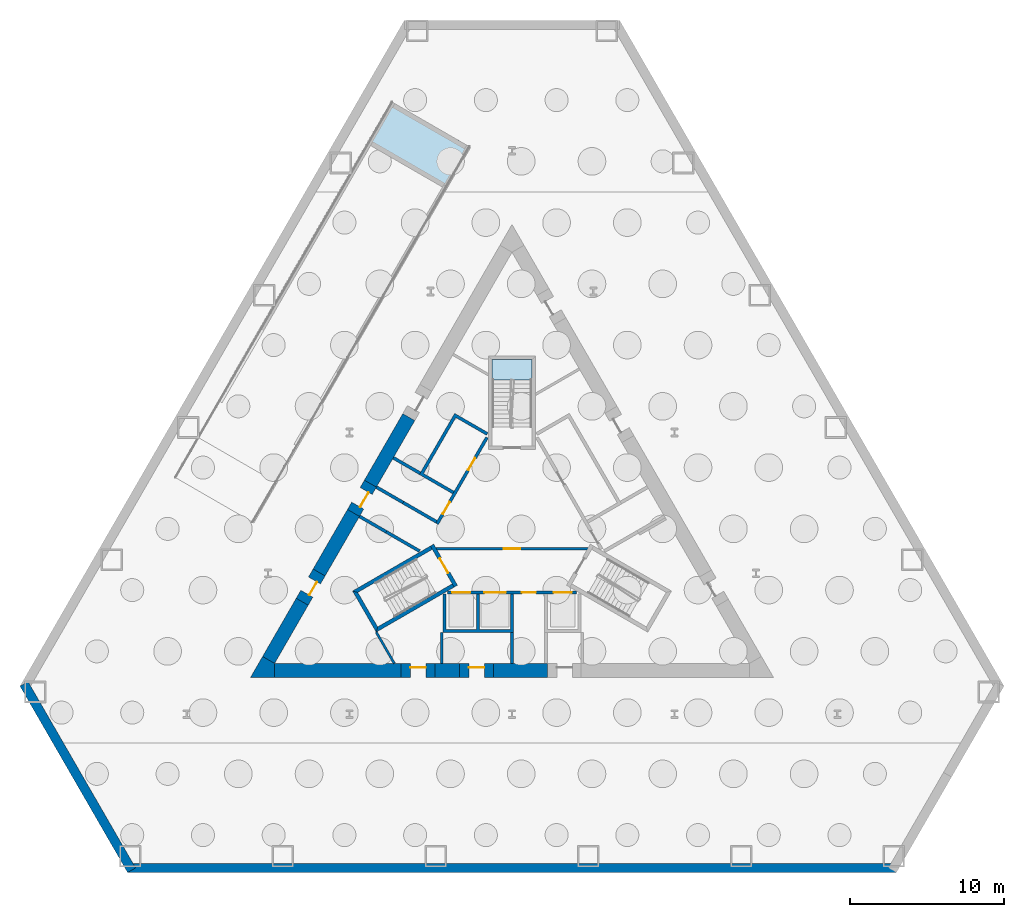
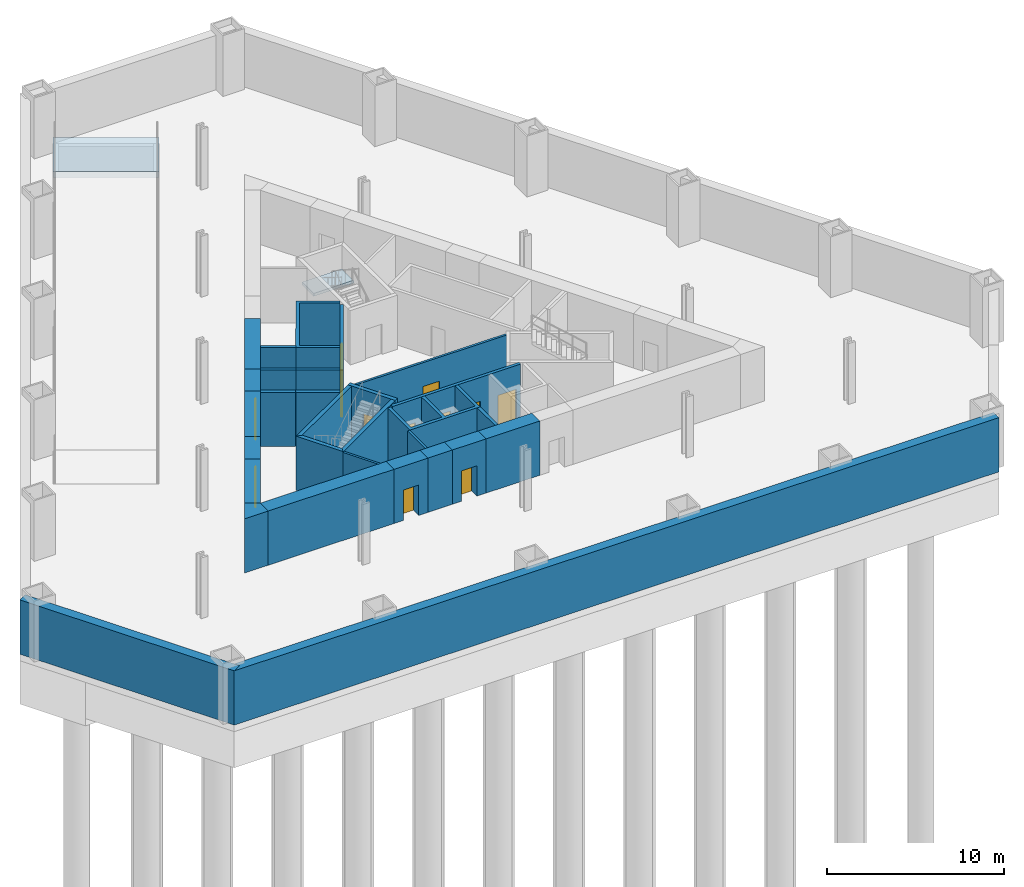
# One storey, part 2 of 6: 30 walls, 12 doors, 2 slabs, 12 openings, 1 element without a shape of its own.
"""IFC4 building model written with IfcOpenShell, lengths in metres."""

from ifc_helpers import new_model, si_unit, direction, frame, frame_2d, origin, place, context, subcontext, project, spatial, polyline, rectangle, outline, extrude, material, layer, layer_set, type_object, element, fill, aggregate, save


model = new_model("IFC4")

# Units and contexts
model_context = context("Model", 3, precision=1e-05, world=origin(), true_north=direction((0.0, 1.0)))
body_context = subcontext(model_context, "Body", "Model", "MODEL_VIEW")
ifc_project = project(units=[si_unit("LENGTHUNIT", "METRE"), si_unit("AREAUNIT", "SQUARE_METRE"), si_unit("VOLUMEUNIT", "CUBIC_METRE"), si_unit("PLANEANGLEUNIT", "RADIAN"), si_unit("MASSUNIT", "GRAM", prefix="KILO")], contexts=[model_context])

# Site, building, storey
site_placement = place(None, origin())
site = spatial("IfcSite", under=ifc_project, at=site_placement, CompositionType="ELEMENT")
building_placement = place(site_placement, origin())
building = spatial("IfcBuilding", under=site, at=building_placement, Name="Cormorant Prow Tower", CompositionType="ELEMENT")
storey_placement = place(building_placement, frame((0.0, 0.0, -8.39990234375)))
storey = spatial("IfcBuildingStorey", under=building, at=storey_placement, Name="B2", CompositionType="ELEMENT", Elevation=-8.39990234375)

# Stair, slab
ifc_material_1 = material(Name="Exit stair 24 risers")
stair_type = type_object("IfcStairType", Name="Exit stair 24 risers", PredefinedType="HALF_TURN_STAIR", material=ifc_material_1)
stair_placement = place(storey_placement, origin())
stair = element("IfcStair", 1, at=stair_placement, inside=storey, type_object=stair_type, Name="B2 Exit stair ST3", PredefinedType="HALF_TURN_STAIR")
ifc_material_2 = material(Name="Concrete 5000 psi", Category="concrete")
ifc_layer_1 = layer(ifc_material_2, 0.199951171875)
ifc_layer_set_1 = layer_set([ifc_layer_1], Name="Concrete 5000 psi")
slab_type_1 = type_object("IfcSlabType", Name="Stair landing 200", PredefinedType="LANDING", material=ifc_layer_set_1)
slab_1_placement = place(storey_placement, frame((0.0, 0.0, 1.89990234375)))
slab_1 = element("IfcSlab", 2, at=slab_1_placement, type_object=slab_type_1, Name="ST3 landing 1", PredefinedType="LANDING", context=body_context, shape_type="SweptSolid", body=[
    extrude(outline(polyline([(1.2939453125, 9.53173828125), (1.2939453125, 10.8369140625), (-1.2939453125, 10.8369140625), (-1.2939453125, 9.53173828125), (1.2939453125, 9.53173828125)])), origin(), (0.0, 0.0, 1.0), 0.199951171875),
])
aggregate(stair, [slab_1])

# Slab
ifc_material_3 = material(Name="Concrete 5000 psi", Category="concrete")
ifc_layer_2 = layer(ifc_material_3, 0.39990234375)
ifc_layer_set_2 = layer_set([ifc_layer_2], Name="Concrete 5000 psi")
slab_type_2 = type_object("IfcSlabType", Name="Vehicle ramp R2 slab 400", PredefinedType="USERDEFINED", material=ifc_layer_set_2)
slab_2_placement = place(storey_placement, frame((-2.687255859375, 24.6455078125, 4.199951171875), z_axis=(-0.041522570954, -0.071917714649, 0.996545893786), x_axis=(-0.498298237952, -0.863019457763, -0.083043853331)))
element("IfcSlab", 3, at=slab_2_placement, inside=storey, type_object=slab_type_2, Name="Vehicle ramp R2 slab 1", ObjectType="RAMP SLAB", PredefinedType="USERDEFINED", context=body_context, shape_type="SweptSolid", body=[
    extrude(outline(polyline([(0.0, 0.0), (1.0034088774408212, 8.195721391043159e-17), (2.007048727369703, 0.00012207688989818123), (3.010457604810524, 0.00012207688989842973), (3.010579260413982, -5.999784823666383), (2.0071703829731606, -5.999784823666384), (1.0035305330442794, -5.999906900556282), (0.00012165560345822612, -5.999906900556281), (0.0, 0.0)])), origin(), (0.083043853331, 1.683818e-06, -0.996545893786), 0.4013671875),
])

# Walls
ifc_material_4 = material(Name="Concrete C45/55", Category="concrete")
ifc_layer_3 = layer(ifc_material_4, 0.60009765625)
ifc_layer_set_3 = layer_set([ifc_layer_3], Name="Concrete C45/55")
wall_type_1 = type_object("IfcWallType", Name="Basement retaining wall 600", PredefinedType="SOLIDWALL", material=ifc_layer_set_3)
wall_1_placement = place(storey_placement, frame((-25.0, -22.216552734375, 0.0), z_axis=(0.0, 0.0, 1.0), x_axis=(1.0, 0.0, 0.0)))
element("IfcWall", 4, at=wall_1_placement, inside=storey, type_object=wall_type_1, Name="Basement retaining wall 1 at B2", PredefinedType="SOLIDWALL", context=body_context, shape_type="SweptSolid", body=[
    extrude(rectangle(XDim=50.0, YDim=0.60009765625, at=frame_2d((25.0, 0.0))), origin(), (0.0, 0.0, 1.0), 3.75),
])
wall_2_placement = place(storey_placement, frame((-31.740234375, -10.2421875, 0.0), z_axis=(0.0, 0.0, 1.0), x_axis=(0.499995173006, -0.866028190633, 0.0)))
element("IfcWall", 5, at=wall_2_placement, inside=storey, type_object=wall_type_1, Name="Basement retaining wall 7 at B2", PredefinedType="SOLIDWALL", context=body_context, shape_type="SweptSolid", body=[
    extrude(rectangle(XDim=14.000244140625, YDim=0.60009765625, at=frame_2d((7.0, 0.0))), origin(), (0.0, 0.0, 1.0), 3.75),
])

# Wall, opening, door
ifc_material_5 = material(Name="Gypsum board partition")
ifc_layer_4 = layer(ifc_material_5, 0.14990234375)
ifc_layer_set_4 = layer_set([ifc_layer_4], Name="Gypsum board partition")
wall_type_2 = type_object("IfcWallType", Name="Core partition 150", PredefinedType="PARTITIONING", material=ifc_layer_set_4)
wall_3_placement = place(storey_placement, frame((-4.941162109375, -1.449951171875, 0.0), z_axis=(0.0, 0.0, 1.0), x_axis=(1.0, 0.0, 0.0)))
wall_3 = element("IfcWall", 6, at=wall_3_placement, inside=storey, type_object=wall_type_2, Name="Firefighting lobby partition", PredefinedType="PARTITIONING", context=body_context, shape_type="SweptSolid", body=[
    extrude(rectangle(XDim=9.88232421875, YDim=0.14990234375, at=frame_2d((4.941162109375, 0.0))), origin(), (0.0, 0.0, 1.0), 3.75),
])
opening_1_placement = place(wall_3_placement, frame((4.39111328125, 0.0, 0.0)))
opening_1 = element("IfcOpeningElement", 7, at=opening_1_placement, cuts=wall_3, Name="Opening B2-C09", PredefinedType="OPENING", context=body_context, shape_type="SweptSolid", body=[
    extrude(rectangle(XDim=1.10009765625, YDim=2.10009765625, at=frame_2d((0.550048828125, 1.050048828125))), frame((0.0, 0.0849609375, 0.0), z_axis=(0.0, -1.0, 0.0), x_axis=(1.0, 0.0, 0.0)), (0.0, 0.0, 1.0), 0.169921875),
])
ifc_material_6 = material(Name="Painted steel", Category="steel")
door_type_1 = type_object("IfcDoorType", Name="Firefighting lobby door 1100x2100", OperationType="NOTDEFINED", PredefinedType="DOOR", material=ifc_material_6)
door_1_placement = place(opening_1_placement, origin())
door_1 = element("IfcDoor", 8, at=door_1_placement, inside=storey, type_object=door_type_1, Name="Firefighting lobby door", OperationType="SINGLE_SWING_LEFT", OverallHeight=2.10009765625, OverallWidth=1.10009765625, PredefinedType="DOOR", context=body_context, shape_type="SweptSolid", body=[
    extrude(rectangle(XDim=1.10009765625, YDim=2.10009765625, at=frame_2d((0.550048828125, 1.050048828125))), frame((0.0, 0.02490234375, 0.0), z_axis=(0.0, -1.0, 0.0), x_axis=(1.0, 0.0, 0.0)), (0.0, 0.0, 1.0), 0.050048828125),
])
fill(opening_1, door_1)

# Walls
wall_4_placement = place(storey_placement, frame((-4.574951171875, -6.906005859375, 0.0), z_axis=(0.0, 0.0, 1.0), x_axis=(0.0, -1.0, 0.0)))
element("IfcWall", 9, at=wall_4_placement, inside=storey, type_object=wall_type_2, Name="Service room partition", PredefinedType="PARTITIONING", context=body_context, shape_type="SweptSolid", body=[
    extrude(rectangle(XDim=2.009033203125, YDim=0.14990234375, at=frame_2d((1.00439453125, 0.0))), origin(), (0.0, 0.0, 1.0), 3.75),
])
wall_5_placement = place(storey_placement, frame((-8.82958984375, -6.880615234375, 0.0), z_axis=(0.0, 0.0, 1.0), x_axis=(0.500073279432, -0.865983091751, 0.0)))
element("IfcWall", 10, at=wall_5_placement, inside=storey, type_object=wall_type_2, Name="Service room partition", PredefinedType="PARTITIONING", context=body_context, shape_type="SweptSolid", body=[
    extrude(rectangle(XDim=2.349365234375, YDim=0.14990234375, at=frame_2d((1.1748046875, 0.0))), origin(), (0.0, 0.0, 1.0), 3.75),
])
ifc_material_7 = material(Name="Concrete 8000 psi", Category="concrete")
ifc_layer_5 = layer(ifc_material_7, 0.89990234375)
ifc_layer_set_5 = layer_set([ifc_layer_5], Name="Concrete 8000 psi")
wall_type_3 = type_object("IfcWallType", Name="Core shear wall 900", PredefinedType="SHEAR", material=ifc_layer_set_5)
wall_6_placement = place(storey_placement, frame((-15.441162109375, -9.364990234375, 0.0), z_axis=(0.0, 0.0, 1.0), x_axis=(1.0, 0.0, 0.0)))
element("IfcWall", 11, at=wall_6_placement, inside=storey, type_object=wall_type_3, Name="Core wall", PredefinedType="SHEAR", context=body_context, shape_type="SweptSolid", body=[
    extrude(rectangle(XDim=8.232177734375, YDim=0.89990234375, at=frame_2d((4.1162109375, 0.0))), origin(), (0.0, 0.0, 1.0), 3.75),
])
wall_7_placement = place(storey_placement, frame((-1.199951171875, -9.364990234375, 0.0), z_axis=(0.0, 0.0, 1.0), x_axis=(1.0, 0.0, 0.0)))
element("IfcWall", 12, at=wall_7_placement, inside=storey, type_object=wall_type_3, Name="Core wall", PredefinedType="SHEAR", context=body_context, shape_type="SweptSolid", body=[
    extrude(rectangle(XDim=3.52001953125, YDim=0.89990234375, at=frame_2d((1.760009765625, 0.0))), origin(), (0.0, 0.0, 1.0), 3.75),
])
wall_8_placement = place(storey_placement, frame((-5.009033203125, -9.364990234375, 0.0), z_axis=(0.0, 0.0, 1.0), x_axis=(1.0, 0.0, 0.0)))
element("IfcWall", 13, at=wall_8_placement, inside=storey, type_object=wall_type_3, Name="Core wall", PredefinedType="SHEAR", context=body_context, shape_type="SweptSolid", body=[
    extrude(rectangle(XDim=1.609130859375, YDim=0.89990234375, at=frame_2d((0.8046875, 0.0))), origin(), (0.0, 0.0, 1.0), 3.75),
])
wall_9_placement = place(storey_placement, frame((-6.71142578125, 7.10546875, 0.0), z_axis=(0.0, 0.0, 1.0), x_axis=(-0.499969117767, -0.866043232916, 0.0)))
element("IfcWall", 14, at=wall_9_placement, inside=storey, type_object=wall_type_3, Name="Core wall", PredefinedType="SHEAR", context=body_context, shape_type="SweptSolid", body=[
    extrude(rectangle(XDim=4.997802734375, YDim=0.89990234375, at=frame_2d((2.4990234375, 0.0))), origin(), (0.0, 0.0, 1.0), 3.75),
])
wall_10_placement = place(storey_placement, frame((-10.310302734375, 0.8720703125, 0.0), z_axis=(0.0, 0.0, 1.0), x_axis=(-0.499991893987, -0.866030083742, 0.0)))
element("IfcWall", 15, at=wall_10_placement, inside=storey, type_object=wall_type_3, Name="Core wall", PredefinedType="SHEAR", context=body_context, shape_type="SweptSolid", body=[
    extrude(rectangle(XDim=4.470703125, YDim=0.89990234375, at=frame_2d((2.2353515625, 0.0))), origin(), (0.0, 0.0, 1.0), 3.75),
])
wall_11_placement = place(storey_placement, frame((-13.6455078125, -4.90478515625, 0.0), z_axis=(0.0, 0.0, 1.0), x_axis=(-0.499990005186, -0.866031174216, 0.0)))
element("IfcWall", 16, at=wall_11_placement, inside=storey, type_object=wall_type_3, Name="Core wall", PredefinedType="SHEAR", context=body_context, shape_type="SweptSolid", body=[
    extrude(rectangle(XDim=4.37060546875, YDim=0.89990234375, at=frame_2d((2.185302734375, 0.0))), origin(), (0.0, 0.0, 1.0), 3.75),
])
wall_12_placement = place(storey_placement, origin())
element("IfcWall", 17, at=wall_12_placement, inside=storey, type_object=wall_type_3, Name="Core wall corner", PredefinedType="SHEAR", context=body_context, shape_type="SweptSolid", body=[
    extrude(outline(polyline([(-16.220703125, -8.465087890625), (-15.441162109375, -8.9150390625), (-15.441162109375, -9.81494140625), (-17.0, -9.81494140625), (-16.220703125, -8.465087890625)])), origin(), (0.0, 0.0, 1.0), 3.75),
])

# Wall, opening, door
wall_13_placement = place(storey_placement, frame((-3.39990234375, -9.364990234375, 0.0), z_axis=(0.0, 0.0, 1.0), x_axis=(1.0, 0.0, 0.0)))
wall_13 = element("IfcWall", 18, at=wall_13_placement, inside=storey, type_object=wall_type_3, Name="Core wall door panel", PredefinedType="SHEAR", context=body_context, shape_type="SweptSolid", body=[
    extrude(rectangle(XDim=2.199951171875, YDim=0.89990234375, at=frame_2d((1.10009765625, 0.0))), origin(), (0.0, 0.0, 1.0), 3.75),
])
opening_2_placement = place(wall_13_placement, frame((0.60009765625, 0.0, 0.0)))
opening_2 = element("IfcOpeningElement", 19, at=opening_2_placement, cuts=wall_13, Name="Opening B2-C13", PredefinedType="OPENING", context=body_context, shape_type="SweptSolid", body=[
    extrude(rectangle(XDim=1.0, YDim=2.10009765625, at=frame_2d((0.5, 1.050048828125))), frame((0.0, 0.4599609375, 0.0), z_axis=(0.0, -1.0, 0.0), x_axis=(1.0, 0.0, 0.0)), (0.0, 0.0, 1.0), 0.919921875),
])
ifc_material_8 = material(Name="Painted steel", Category="steel")
door_type_2 = type_object("IfcDoorType", Name="Service door 1000x2100", OperationType="NOTDEFINED", PredefinedType="DOOR", material=ifc_material_8)
door_2_placement = place(opening_2_placement, origin())
door_2 = element("IfcDoor", 20, at=door_2_placement, inside=storey, type_object=door_type_2, Name="Core door, Electrical room", OperationType="SINGLE_SWING_RIGHT", OverallHeight=2.10009765625, OverallWidth=1.0, PredefinedType="DOOR", context=body_context, shape_type="SweptSolid", body=[
    extrude(rectangle(XDim=1.0, YDim=2.10009765625, at=frame_2d((0.5, 1.050048828125))), frame((0.0, 0.205078125, 0.0), z_axis=(0.0, -1.0, 0.0), x_axis=(1.0, 0.0, 0.0)), (0.0, 0.0, 1.0), 0.050048828125),
])
fill(opening_2, door_2)

wall_14_placement = place(storey_placement, frame((-12.545654296875, -2.999755859375, 0.0), z_axis=(0.0, 0.0, 1.0), x_axis=(-0.499994660107, -0.866028486751, 0.0)))
wall_14 = element("IfcWall", 21, at=wall_14_placement, inside=storey, type_object=wall_type_3, Name="Core wall door panel", PredefinedType="SHEAR", context=body_context, shape_type="SweptSolid", body=[
    extrude(rectangle(XDim=2.19970703125, YDim=0.89990234375, at=frame_2d((1.099853515625, 0.0))), origin(), (0.0, 0.0, 1.0), 3.75),
])
opening_3_placement = place(wall_14_placement, frame((0.60009765625, 0.0, 0.0)))
opening_3 = element("IfcOpeningElement", 22, at=opening_3_placement, cuts=wall_14, Name="Opening B2-C15", PredefinedType="OPENING", context=body_context, shape_type="SweptSolid", body=[
    extrude(rectangle(XDim=1.0, YDim=2.10009765625, at=frame_2d((0.5, 1.050048828125))), frame((0.0, 0.4599609375, 0.0), z_axis=(0.0, -1.0, 0.0), x_axis=(1.0, 0.0, 0.0)), (0.0, 0.0, 1.0), 0.919921875),
])
door_3_placement = place(opening_3_placement, origin())
door_3 = element("IfcDoor", 23, at=door_3_placement, inside=storey, type_object=door_type_2, Name="Core door, Mechanical riser room", OperationType="SINGLE_SWING_LEFT", OverallHeight=2.10009765625, OverallWidth=1.0, PredefinedType="DOOR", context=body_context, shape_type="SweptSolid", body=[
    extrude(rectangle(XDim=1.0, YDim=2.10009765625, at=frame_2d((0.5, 1.050048828125))), frame((0.0, 0.205078125, 0.0), z_axis=(0.0, -1.0, 0.0), x_axis=(1.0, 0.0, 0.0)), (0.0, 0.0, 1.0), 0.050048828125),
])
fill(opening_3, door_3)

wall_15_placement = place(storey_placement, frame((-7.208984375, -9.364990234375, 0.0), z_axis=(0.0, 0.0, 1.0), x_axis=(1.0, 0.0, 0.0)))
wall_15 = element("IfcWall", 24, at=wall_15_placement, inside=storey, type_object=wall_type_3, Name="Core wall door panel", PredefinedType="SHEAR", context=body_context, shape_type="SweptSolid", body=[
    extrude(rectangle(XDim=2.199951171875, YDim=0.89990234375, at=frame_2d((1.10009765625, 0.0))), origin(), (0.0, 0.0, 1.0), 3.75),
])
opening_4_placement = place(wall_15_placement, frame((0.60009765625, 0.0, 0.0)))
opening_4 = element("IfcOpeningElement", 25, at=opening_4_placement, cuts=wall_15, Name="Opening B2-C20", PredefinedType="OPENING", context=body_context, shape_type="SweptSolid", body=[
    extrude(rectangle(XDim=1.0, YDim=2.10009765625, at=frame_2d((0.5, 1.050048828125))), frame((0.0, 0.4599609375, 0.0), z_axis=(0.0, -1.0, 0.0), x_axis=(1.0, 0.0, 0.0)), (0.0, 0.0, 1.0), 0.919921875),
])
door_4_placement = place(opening_4_placement, origin())
door_4 = element("IfcDoor", 26, at=door_4_placement, inside=storey, type_object=door_type_2, Name="Core door, Mechanical riser room", OperationType="SINGLE_SWING_LEFT", OverallHeight=2.10009765625, OverallWidth=1.0, PredefinedType="DOOR", context=body_context, shape_type="SweptSolid", body=[
    extrude(rectangle(XDim=1.0, YDim=2.10009765625, at=frame_2d((0.5, 1.050048828125))), frame((0.0, 0.205078125, 0.0), z_axis=(0.0, -1.0, 0.0), x_axis=(1.0, 0.0, 0.0)), (0.0, 0.0, 1.0), 0.050048828125),
])
fill(opening_4, door_4)

wall_16_placement = place(storey_placement, frame((-9.210205078125, 2.777099609375, 0.0), z_axis=(0.0, 0.0, 1.0), x_axis=(-0.500077893725, -0.86598042715, 0.0)))
wall_16 = element("IfcWall", 27, at=wall_16_placement, inside=storey, type_object=wall_type_3, Name="Core wall door panel", PredefinedType="SHEAR", context=body_context, shape_type="SweptSolid", body=[
    extrude(rectangle(XDim=2.199951171875, YDim=0.89990234375, at=frame_2d((1.10009765625, 0.0))), origin(), (0.0, 0.0, 1.0), 3.75),
])
opening_5_placement = place(wall_16_placement, frame((0.550048828125, 0.0, 0.0)))
opening_5 = element("IfcOpeningElement", 28, at=opening_5_placement, cuts=wall_16, Name="Opening B2-C21", PredefinedType="OPENING", context=body_context, shape_type="SweptSolid", body=[
    extrude(rectangle(XDim=1.10009765625, YDim=2.10009765625, at=frame_2d((0.550048828125, 1.050048828125))), frame((0.0, 0.4599609375, 0.0), z_axis=(0.0, -1.0, 0.0), x_axis=(1.0, 0.0, 0.0)), (0.0, 0.0, 1.0), 0.919921875),
])
ifc_material_9 = material(Name="Painted steel", Category="steel")
door_type_3 = type_object("IfcDoorType", Name="Core door 1100x2100", OperationType="NOTDEFINED", PredefinedType="DOOR", material=ifc_material_9)
door_5_placement = place(opening_5_placement, origin())
door_5 = element("IfcDoor", 29, at=door_5_placement, inside=storey, type_object=door_type_3, Name="Core door, lift lobby", OperationType="SINGLE_SWING_LEFT", OverallHeight=2.10009765625, OverallWidth=1.10009765625, PredefinedType="DOOR", context=body_context, shape_type="SweptSolid", body=[
    extrude(rectangle(XDim=1.10009765625, YDim=2.10009765625, at=frame_2d((0.550048828125, 1.050048828125))), frame((0.0, 0.205078125, 0.0), z_axis=(0.0, -1.0, 0.0), x_axis=(1.0, 0.0, 0.0)), (0.0, 0.0, 1.0), 0.050048828125),
])
fill(opening_5, door_5)

# Wall, openings, doors
ifc_material_10 = material(Name="Concrete 5000 psi", Category="concrete")
ifc_layer_6 = layer(ifc_material_10, 0.199951171875)
ifc_layer_set_6 = layer_set([ifc_layer_6], Name="Concrete 5000 psi")
wall_type_4 = type_object("IfcWallType", Name="Lift lobby wall 200", PredefinedType="SOLIDWALL", material=ifc_layer_set_6)
wall_17_placement = place(storey_placement, frame((-4.1865234375, -4.300048828125, 0.0), z_axis=(0.0, 0.0, 1.0), x_axis=(1.0, 0.0, 0.0)))
wall_17 = element("IfcWall", 30, at=wall_17_placement, inside=storey, type_object=wall_type_4, Name="Lift lobby wall, S block", PredefinedType="SOLIDWALL", context=body_context, shape_type="SweptSolid", body=[
    extrude(rectangle(XDim=8.373046875, YDim=0.199951171875, at=frame_2d((4.1865234375, 0.0))), origin(), (0.0, 0.0, 1.0), 3.75),
])
opening_6_placement = place(wall_17_placement, frame((0.28662109375, 0.0, 0.0)))
opening_6 = element("IfcOpeningElement", 31, at=opening_6_placement, cuts=wall_17, Name="Opening B2-C01", PredefinedType="OPENING", context=body_context, shape_type="SweptSolid", body=[
    extrude(rectangle(XDim=1.199951171875, YDim=2.10009765625, at=frame_2d((0.60009765625, 1.050048828125))), frame((0.0, 0.10986328125, 0.0), z_axis=(0.0, -1.0, 0.0), x_axis=(1.0, 0.0, 0.0)), (0.0, 0.0, 1.0), 0.219970703125),
])
opening_7_placement = place(wall_17_placement, frame((2.38671875, 0.0, 0.0)))
opening_7 = element("IfcOpeningElement", 32, at=opening_7_placement, cuts=wall_17, Name="Opening B2-C02", PredefinedType="OPENING", context=body_context, shape_type="SweptSolid", body=[
    extrude(rectangle(XDim=1.39990234375, YDim=2.10009765625, at=frame_2d((0.699951171875, 1.050048828125))), frame((0.0, 0.10986328125, 0.0), z_axis=(0.0, -1.0, 0.0), x_axis=(1.0, 0.0, 0.0)), (0.0, 0.0, 1.0), 0.219970703125),
])
opening_8_placement = place(wall_17_placement, frame((4.836669921875, 0.0, 0.0)))
opening_8 = element("IfcOpeningElement", 33, at=opening_8_placement, cuts=wall_17, Name="Opening B2-C03", PredefinedType="OPENING", context=body_context, shape_type="SweptSolid", body=[
    extrude(rectangle(XDim=0.89990234375, YDim=2.10009765625, at=frame_2d((0.449951171875, 1.050048828125))), frame((0.0, 0.10986328125, 0.0), z_axis=(0.0, -1.0, 0.0), x_axis=(1.0, 0.0, 0.0)), (0.0, 0.0, 1.0), 0.219970703125),
])
opening_9_placement = place(wall_17_placement, frame((6.88671875, 0.0, 0.0)))
opening_9 = element("IfcOpeningElement", 34, at=opening_9_placement, cuts=wall_17, Name="Opening B2-C04", PredefinedType="OPENING", context=body_context, shape_type="SweptSolid", body=[
    extrude(rectangle(XDim=1.199951171875, YDim=2.10009765625, at=frame_2d((0.60009765625, 1.050048828125))), frame((0.0, 0.10986328125, 0.0), z_axis=(0.0, -1.0, 0.0), x_axis=(1.0, 0.0, 0.0)), (0.0, 0.0, 1.0), 0.219970703125),
])
ifc_material_11 = material(Name="Painted steel", Category="steel")
door_type_4 = type_object("IfcDoorType", Name="Firefighting lift landing door 1200x2100", OperationType="SLIDING_TO_LEFT", PredefinedType="DOOR", material=ifc_material_11)
door_6_placement = place(opening_6_placement, origin())
door_6 = element("IfcDoor", 35, at=door_6_placement, inside=storey, type_object=door_type_4, Name="Landing door FL1", OperationType="SLIDING_TO_LEFT", OverallHeight=2.10009765625, OverallWidth=1.199951171875, PredefinedType="DOOR", context=body_context, shape_type="SweptSolid", body=[
    extrude(rectangle(XDim=1.199951171875, YDim=2.10009765625, at=frame_2d((0.60009765625, 1.050048828125))), frame((0.0, 0.02490234375, 0.0), z_axis=(0.0, -1.0, 0.0), x_axis=(1.0, 0.0, 0.0)), (0.0, 0.0, 1.0), 0.050048828125),
])
fill(opening_6, door_6)
door_7_placement = place(opening_9_placement, origin())
door_7 = element("IfcDoor", 36, at=door_7_placement, inside=storey, type_object=door_type_4, Name="Landing door FL2", OperationType="SLIDING_TO_LEFT", OverallHeight=2.10009765625, OverallWidth=1.199951171875, PredefinedType="DOOR", context=body_context, shape_type="SweptSolid", body=[
    extrude(rectangle(XDim=1.199951171875, YDim=2.10009765625, at=frame_2d((0.60009765625, 1.050048828125))), frame((0.0, 0.02490234375, 0.0), z_axis=(0.0, -1.0, 0.0), x_axis=(1.0, 0.0, 0.0)), (0.0, 0.0, 1.0), 0.050048828125),
])
fill(opening_9, door_7)
ifc_material_12 = material(Name="Painted steel", Category="steel")
door_type_5 = type_object("IfcDoorType", Name="Service door 900x2100", OperationType="NOTDEFINED", PredefinedType="DOOR", material=ifc_material_12)
door_8_placement = place(opening_8_placement, origin())
door_8 = element("IfcDoor", 37, at=door_8_placement, inside=storey, type_object=door_type_5, Name="Service door, Refuse store", OperationType="SINGLE_SWING_RIGHT", OverallHeight=2.10009765625, OverallWidth=0.89990234375, PredefinedType="DOOR", context=body_context, shape_type="SweptSolid", body=[
    extrude(rectangle(XDim=0.89990234375, YDim=2.10009765625, at=frame_2d((0.449951171875, 1.050048828125))), frame((0.0, 0.02490234375, 0.0), z_axis=(0.0, -1.0, 0.0), x_axis=(1.0, 0.0, 0.0)), (0.0, 0.0, 1.0), 0.050048828125),
])
fill(opening_8, door_8)
ifc_material_13 = material(Name="Painted steel", Category="steel")
door_type_6 = type_object("IfcDoorType", Name="Service lift landing door 1400x2100", OperationType="SLIDING_TO_LEFT", PredefinedType="DOOR", material=ifc_material_13)
door_9_placement = place(opening_7_placement, origin())
door_9 = element("IfcDoor", 38, at=door_9_placement, inside=storey, type_object=door_type_6, Name="Landing door SL1", OperationType="SLIDING_TO_LEFT", OverallHeight=2.10009765625, OverallWidth=1.39990234375, PredefinedType="DOOR", context=body_context, shape_type="SweptSolid", body=[
    extrude(rectangle(XDim=1.39990234375, YDim=2.10009765625, at=frame_2d((0.699951171875, 1.050048828125))), frame((0.0, 0.02490234375, 0.0), z_axis=(0.0, -1.0, 0.0), x_axis=(1.0, 0.0, 0.0)), (0.0, 0.0, 1.0), 0.050048828125),
])
fill(opening_7, door_9)

wall_18_placement = place(storey_placement, frame((-1.630615234375, 5.775634765625, 0.0), z_axis=(0.0, 0.0, 1.0), x_axis=(-0.499992876559, -0.866029516466, 0.0)))
wall_18 = element("IfcWall", 39, at=wall_18_placement, inside=storey, type_object=wall_type_4, Name="Lift lobby wall, WNW block", PredefinedType="SOLIDWALL", context=body_context, shape_type="SweptSolid", body=[
    extrude(rectangle(XDim=6.486328125, YDim=0.199951171875, at=frame_2d((3.2431640625, 0.0))), origin(), (0.0, 0.0, 1.0), 3.75),
])
opening_10_placement = place(wall_18_placement, frame((1.53662109375, 0.0, 0.0)))
opening_10 = element("IfcOpeningElement", 40, at=opening_10_placement, cuts=wall_18, Name="Opening B2-C07", PredefinedType="OPENING", context=body_context, shape_type="SweptSolid", body=[
    extrude(rectangle(XDim=0.89990234375, YDim=2.10009765625, at=frame_2d((0.449951171875, 1.050048828125))), frame((0.0, 0.10986328125, 0.0), z_axis=(0.0, -1.0, 0.0), x_axis=(1.0, 0.0, 0.0)), (0.0, 0.0, 1.0), 0.219970703125),
])
opening_11_placement = place(wall_18_placement, frame((4.836669921875, 0.0, 0.0)))
opening_11 = element("IfcOpeningElement", 41, at=opening_11_placement, cuts=wall_18, Name="Opening B2-C08", PredefinedType="OPENING", context=body_context, shape_type="SweptSolid", body=[
    extrude(rectangle(XDim=0.89990234375, YDim=2.10009765625, at=frame_2d((0.449951171875, 1.050048828125))), frame((0.0, 0.10986328125, 0.0), z_axis=(0.0, -1.0, 0.0), x_axis=(1.0, 0.0, 0.0)), (0.0, 0.0, 1.0), 0.219970703125),
])
door_10_placement = place(opening_10_placement, origin())
door_10 = element("IfcDoor", 42, at=door_10_placement, inside=storey, type_object=door_type_5, Name="Service door, Electrical room", OperationType="SINGLE_SWING_LEFT", OverallHeight=2.10009765625, OverallWidth=0.89990234375, PredefinedType="DOOR", context=body_context, shape_type="SweptSolid", body=[
    extrude(rectangle(XDim=0.89990234375, YDim=2.10009765625, at=frame_2d((0.449951171875, 1.050048828125))), frame((0.0, 0.02490234375, 0.0), z_axis=(0.0, -1.0, 0.0), x_axis=(1.0, 0.0, 0.0)), (0.0, 0.0, 1.0), 0.050048828125),
])
fill(opening_10, door_10)
door_11_placement = place(opening_11_placement, origin())
door_11 = element("IfcDoor", 43, at=door_11_placement, inside=storey, type_object=door_type_5, Name="Service door, Refuse store", OperationType="SINGLE_SWING_RIGHT", OverallHeight=2.10009765625, OverallWidth=0.89990234375, PredefinedType="DOOR", context=body_context, shape_type="SweptSolid", body=[
    extrude(rectangle(XDim=0.89990234375, YDim=2.10009765625, at=frame_2d((0.449951171875, 1.050048828125))), frame((0.0, 0.02490234375, 0.0), z_axis=(0.0, -1.0, 0.0), x_axis=(1.0, 0.0, 0.0)), (0.0, 0.0, 1.0), 0.050048828125),
])
fill(opening_11, door_11)

# Walls
ifc_material_14 = material(Name="Concrete 8000 psi", Category="concrete")
ifc_layer_7 = layer(ifc_material_14, 0.199951171875)
ifc_layer_set_7 = layer_set([ifc_layer_7], Name="Concrete 8000 psi")
wall_type_5 = type_object("IfcWallType", Name="Lift shaft wall 200", PredefinedType="SHEAR", material=ifc_layer_set_7)
wall_19_placement = place(storey_placement, origin())
element("IfcWall", 44, at=wall_19_placement, inside=storey, type_object=wall_type_5, Name="Lift shaft walls, S block", PredefinedType="SHEAR", context=body_context, shape_type="SweptSolid", body=[
    extrude(outline(polyline([(0.10009765625, -4.39990234375), (0.10009765625, -6.906005859375), (-4.5, -6.906005859375), (-4.5, -4.39990234375), (-4.300048828125, -4.39990234375), (-4.300048828125, -6.699951171875), (-2.300048828125, -6.699951171875), (-2.300048828125, -4.39990234375), (-2.10009765625, -4.39990234375), (-2.10009765625, -6.699951171875), (-0.10009765625, -6.699951171875), (-0.10009765625, -4.39990234375), (0.10009765625, -4.39990234375)])), origin(), (0.0, 0.0, 1.0), 3.75),
])
wall_20_placement = place(storey_placement, frame((0.0, -6.906005859375, 0.0), z_axis=(0.0, 0.0, 1.0), x_axis=(0.0, -1.0, 0.0)))
element("IfcWall", 45, at=wall_20_placement, inside=storey, type_object=wall_type_5, Name="Store side wall", PredefinedType="SHEAR", context=body_context, shape_type="SweptSolid", body=[
    extrude(rectangle(XDim=2.009033203125, YDim=0.199951171875, at=frame_2d((1.00439453125, 0.0))), origin(), (0.0, 0.0, 1.0), 3.75),
])
wall_21_placement = place(storey_placement, origin())
element("IfcWall", 46, at=wall_21_placement, inside=storey, type_object=wall_type_5, Name="Lift shaft walls, WNW block", PredefinedType="SHEAR", context=body_context, shape_type="SweptSolid", body=[
    extrude(outline(polyline([(-6.060546875, -1.697021484375), (-8.230712890625, -0.444091796875), (-8.130859375, -0.27099609375), (-5.96044921875, -1.52392578125), (-6.060546875, -1.697021484375)])), origin(), (0.0, 0.0, 1.0), 3.75),
])
wall_22_placement = place(storey_placement, origin())
element("IfcWall", 47, at=wall_22_placement, inside=storey, type_object=wall_type_5, Name="Lift shaft walls, WNW block", PredefinedType="SHEAR", context=body_context, shape_type="SweptSolid", body=[
    extrude(outline(polyline([(-4.96044921875, 0.2080078125), (-7.130859375, 1.461181640625), (-7.03076171875, 1.63427734375), (-4.860595703125, 0.38134765625), (-4.96044921875, 0.2080078125)])), origin(), (0.0, 0.0, 1.0), 3.75),
])
wall_23_placement = place(storey_placement, origin())
element("IfcWall", 48, at=wall_23_placement, inside=storey, type_object=wall_type_5, Name="Lift shaft walls, WNW block", PredefinedType="SHEAR", context=body_context, shape_type="SweptSolid", body=[
    extrude(outline(polyline([(-3.860595703125, 2.11328125), (-6.03076171875, 3.366455078125), (-3.730712890625, 7.35009765625), (-1.560546875, 6.09716796875), (-1.660400390625, 5.923828125), (-3.65234375, 7.073974609375), (-5.75244140625, 3.4365234375), (-3.760498046875, 2.28662109375), (-3.860595703125, 2.11328125)])), origin(), (0.0, 0.0, 1.0), 3.75),
])
wall_24_placement = place(storey_placement, frame((-5.980712890625, 3.452880859375, 0.0), z_axis=(0.0, 0.0, 1.0), x_axis=(-0.866013584312, 0.500020471368, 0.0)))
element("IfcWall", 49, at=wall_24_placement, inside=storey, type_object=wall_type_5, Name="Store side wall", PredefinedType="SHEAR", context=body_context, shape_type="SweptSolid", body=[
    extrude(rectangle(XDim=2.00927734375, YDim=0.199951171875, at=frame_2d((1.004638671875, 0.0))), origin(), (0.0, 0.0, 1.0), 3.75),
])
wall_25_placement = place(storey_placement, frame((-7.080810546875, 1.547607421875, 0.0), z_axis=(0.0, 0.0, 1.0), x_axis=(-0.865983199114, 0.50007309351, 0.0)))
element("IfcWall", 50, at=wall_25_placement, inside=storey, type_object=wall_type_5, Name="Store side wall", PredefinedType="SHEAR", context=body_context, shape_type="SweptSolid", body=[
    extrude(rectangle(XDim=2.009033203125, YDim=0.199951171875, at=frame_2d((1.00439453125, 0.0))), origin(), (0.0, 0.0, 1.0), 3.75),
])
wall_26_placement = place(storey_placement, frame((-8.180908203125, -0.357421875, 0.0), z_axis=(0.0, 0.0, 1.0), x_axis=(-0.866035824272, 0.499981950752, 0.0)))
element("IfcWall", 51, at=wall_26_placement, inside=storey, type_object=wall_type_5, Name="Lobby passage wall", PredefinedType="SHEAR", context=body_context, shape_type="SweptSolid", body=[
    extrude(rectangle(XDim=2.0087890625, YDim=0.199951171875, at=frame_2d((1.00439453125, 0.0))), origin(), (0.0, 0.0, 1.0), 3.75),
])
ifc_material_15 = material(Name="Concrete 8000 psi", Category="concrete")
ifc_layer_8 = layer(ifc_material_15, 0.25)
ifc_layer_set_8 = layer_set([ifc_layer_8], Name="Concrete 8000 psi")
wall_type_6 = type_object("IfcWallType", Name="Stair wall 250", PredefinedType="SHEAR", material=ifc_layer_set_8)
wall_27_placement = place(storey_placement, origin())
element("IfcWall", 52, at=wall_27_placement, inside=storey, type_object=wall_type_6, Name="Stair ST1 enclosure wall (flank)", PredefinedType="SHEAR", context=body_context, shape_type="SweptSolid", body=[
    extrude(outline(polyline([(-5.30712890625, -1.28125), (-10.37353515625, -4.206298828125), (-10.031982421875, -4.2978515625), (-5.18212890625, -1.497802734375), (-5.30712890625, -1.28125)])), origin(), (0.0, 0.0, 1.0), 3.75),
])
wall_28_placement = place(storey_placement, origin())
element("IfcWall", 53, at=wall_28_placement, inside=storey, type_object=wall_type_6, Name="Stair ST1 enclosure wall (end)", PredefinedType="SHEAR", context=body_context, shape_type="SweptSolid", body=[
    extrude(outline(polyline([(-10.37353515625, -4.206298828125), (-8.82958984375, -6.880615234375), (-8.738037109375, -6.5390625), (-10.031982421875, -4.2978515625), (-10.37353515625, -4.206298828125)])), origin(), (0.0, 0.0, 1.0), 3.75),
])
wall_29_placement = place(storey_placement, origin())
element("IfcWall", 54, at=wall_29_placement, inside=storey, type_object=wall_type_6, Name="Stair ST1 enclosure wall (flank)", PredefinedType="SHEAR", context=body_context, shape_type="SweptSolid", body=[
    extrude(outline(polyline([(-8.738037109375, -6.5390625), (-8.82958984375, -6.880615234375), (-3.76318359375, -3.95556640625), (-3.88818359375, -3.739013671875), (-8.738037109375, -6.5390625)])), origin(), (0.0, 0.0, 1.0), 3.75),
])

# Wall, opening, door
wall_30_placement = place(storey_placement, frame((-5.198974609375, -1.21875, 0.0), z_axis=(0.0, 0.0, 1.0), x_axis=(0.499982516597, -0.866035497597, 0.0)))
wall_30 = element("IfcWall", 55, at=wall_30_placement, inside=storey, type_object=wall_type_6, Name="Stair ST1 door wall", PredefinedType="SHEAR", context=body_context, shape_type="SweptSolid", body=[
    extrude(rectangle(XDim=3.087890625, YDim=0.25, at=frame_2d((1.5439453125, 0.0))), origin(), (0.0, 0.0, 1.0), 3.75),
])
opening_12_placement = place(wall_30_placement, frame((0.993896484375, 0.0, 0.0)))
opening_12 = element("IfcOpeningElement", 56, at=opening_12_placement, cuts=wall_30, Name="Opening B2-C10", PredefinedType="OPENING", context=body_context, shape_type="SweptSolid", body=[
    extrude(rectangle(XDim=1.10009765625, YDim=2.10009765625, at=frame_2d((0.550048828125, 1.050048828125))), frame((0.0, 0.135009765625, 0.0), z_axis=(0.0, -1.0, 0.0), x_axis=(1.0, 0.0, 0.0)), (0.0, 0.0, 1.0), 0.27001953125),
])
ifc_material_16 = material(Name="Painted steel", Category="steel")
door_type_7 = type_object("IfcDoorType", Name="Stair door 1100x2100", OperationType="NOTDEFINED", PredefinedType="DOOR", material=ifc_material_16)
door_12_placement = place(opening_12_placement, origin())
door_12 = element("IfcDoor", 57, at=door_12_placement, inside=storey, type_object=door_type_7, Name="Stair ST1 door", OperationType="SINGLE_SWING_LEFT", OverallHeight=2.10009765625, OverallWidth=1.10009765625, PredefinedType="DOOR", context=body_context, shape_type="SweptSolid", body=[
    extrude(rectangle(XDim=1.10009765625, YDim=2.10009765625, at=frame_2d((0.550048828125, 1.050048828125))), frame((0.0, 0.02490234375, 0.0), z_axis=(0.0, -1.0, 0.0), x_axis=(1.0, 0.0, 0.0)), (0.0, 0.0, 1.0), 0.050048828125),
])
fill(opening_12, door_12)

save(model, "model.ifc")
